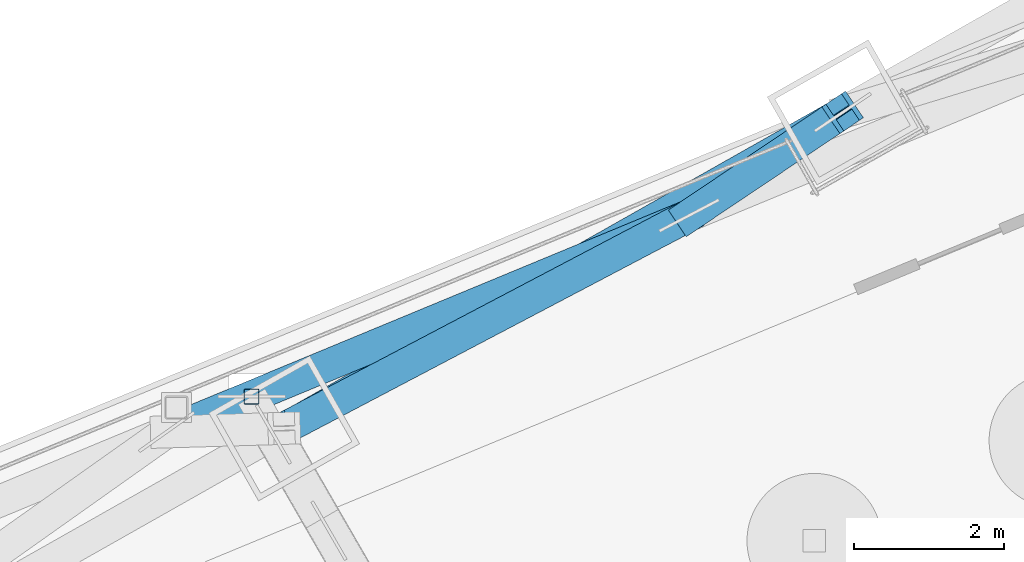
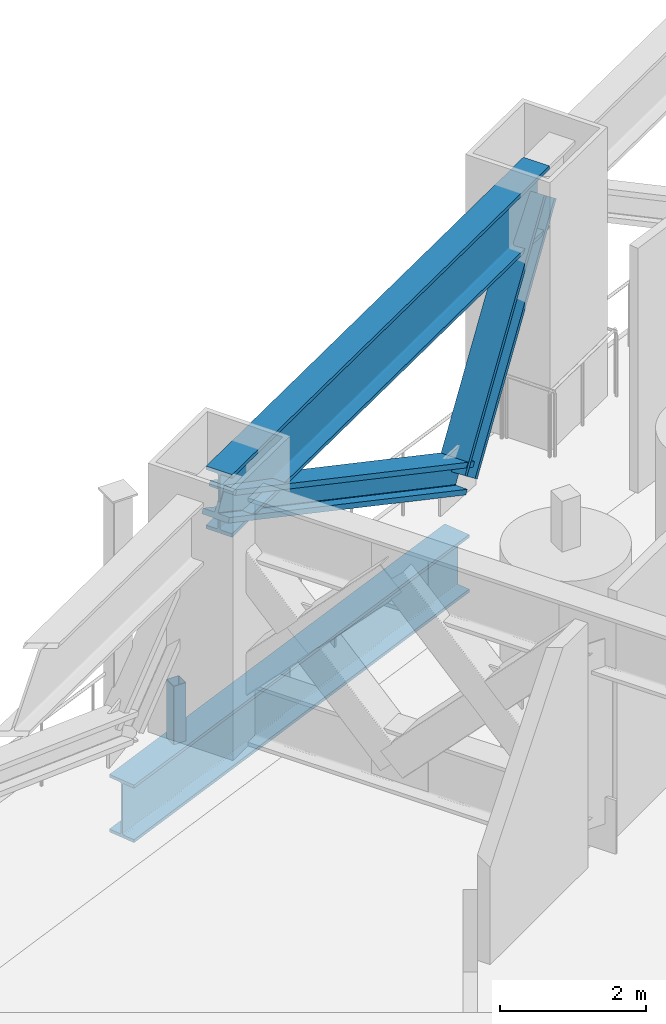
# One storey, part 5 of 23: 5 members.
"""IFC4 building model written with IfcOpenShell, lengths in metres."""

from ifc_helpers import new_model, si_unit, direction, frame, origin, origin_2d, place, context, subcontext, project, spatial, hollow_rectangle, i_section, extrude, material, material_profile, profile_set, type_object, element, save


model = new_model("IFC4")

# Units and contexts
model_context = context("Model", 3, precision=1e-05, world=origin(), true_north=direction((0.0, 1.0)))
body_context = subcontext(model_context, "Body", "Model", "MODEL_VIEW")
ifc_project = project(units=[si_unit("LENGTHUNIT", "METRE"), si_unit("AREAUNIT", "SQUARE_METRE"), si_unit("VOLUMEUNIT", "CUBIC_METRE"), si_unit("PLANEANGLEUNIT", "RADIAN"), si_unit("MASSUNIT", "GRAM", prefix="KILO")], contexts=[model_context])

# Site, building, storey
site_placement = place(None, origin())
site = spatial("IfcSite", under=ifc_project, at=site_placement, CompositionType="ELEMENT")
building_placement = place(site_placement, origin())
building = spatial("IfcBuilding", under=site, at=building_placement, Name="Trine Commons Tower", CompositionType="ELEMENT")
storey_placement = place(building_placement, frame((0.0, 0.0, 156.60009765625)))
storey = spatial("IfcBuildingStorey", under=building, at=storey_placement, Name="L40", CompositionType="ELEMENT", Elevation=156.60009765625)

# Members
ifc_material_1 = material(Name="Structural steel ASTM A992 Gr50", Category="steel")
ifc_material_profile_1 = material_profile(ifc_material_1, i_section(OverallWidth=0.4287109375, OverallDepth=0.482666015625, WebThickness=0.05126953125, FlangeThickness=0.08154296875, FilletRadius=0.015380859375, at=origin_2d()), Name="W14X455")
ifc_profile_set_1 = profile_set([ifc_material_profile_1], Name="Structural steel ASTM A992 Gr50")
member_type_1 = type_object("IfcMemberType", Name="Steel brace W14X455, ASTM A992 Gr50", PredefinedType="BRACE", material=ifc_profile_set_1)
member_1_placement = place(storey_placement, frame((76.08251953125, 81.8251953125, 0.482421875), z_axis=(-0.787067661332, -0.413752408512, 0.457529715905), x_axis=(0.46531156788, -0.885146962259, 0.0)))
element("IfcMember", 1, at=member_1_placement, inside=storey, type_object=member_type_1, Name="Belt truss brace T4-DG-22", PredefinedType="BRACE", context=body_context, shape_type="SweptSolid", body=[
    extrude(i_section(OverallWidth=0.4287109375, OverallDepth=0.482666015625, WebThickness=0.05126953125, FlangeThickness=0.08154296875, FilletRadius=0.015380859375, at=origin_2d()), origin(), (0.0, 0.0, 1.0), 6.87060546875),
])
member_2_placement = place(storey_placement, frame((76.08251953125, 81.8251953125, 0.482421875), z_axis=(0.51310521833, 0.344532692413, 0.786142645314), x_axis=(-0.557455587633, 0.830206762088, 0.0)))
element("IfcMember", 2, at=member_2_placement, inside=storey, type_object=member_type_1, Name="Belt truss brace T4-DG-23", PredefinedType="BRACE", context=body_context, shape_type="SweptSolid", body=[
    extrude(i_section(OverallWidth=0.4287109375, OverallDepth=0.482666015625, WebThickness=0.05126953125, FlangeThickness=0.08154296875, FilletRadius=0.015380859375, at=origin_2d()), origin(), (0.0, 0.0, 1.0), 3.998779296875),
])
ifc_material_profile_2 = material_profile(ifc_material_1, i_section(OverallWidth=0.42529296875, OverallDepth=0.965087890625, WebThickness=0.0283203125, FlangeThickness=0.051025390625, FilletRadius=0.024169921875, at=origin_2d()), Name="W36X361")
ifc_profile_set_2 = profile_set([ifc_material_profile_2], Name="Structural steel ASTM A992 Gr50")
member_type_2 = type_object("IfcMemberType", Name="Steel chord W36X361, ASTM A992 Gr50", PredefinedType="CHORD", material=ifc_profile_set_2)
member_3_placement = place(storey_placement, frame((69.105224609375, 78.93505859375, -0.9326171875), z_axis=(0.923877354048, 0.382688691599, 0.0), x_axis=(-0.382688691599, 0.923877354048, 0.0)))
element("IfcMember", 3, at=member_3_placement, inside=storey, type_object=member_type_2, Name="Belt truss chord T4-LC-11", PredefinedType="CHORD", context=body_context, shape_type="SweptSolid", body=[
    extrude(i_section(OverallWidth=0.42529296875, OverallDepth=0.965087890625, WebThickness=0.0283203125, FlangeThickness=0.051025390625, FilletRadius=0.024169921875, at=origin_2d()), origin(), (0.0, 0.0, 1.0), 7.55224609375),
])
ifc_material_profile_3 = material_profile(ifc_material_1, i_section(OverallWidth=0.412841796875, OverallDepth=1.0478515625, WebThickness=0.033935546875, FlangeThickness=0.059814453125, FilletRadius=0.030029296875, at=origin_2d()), Name="W40X431")
ifc_profile_set_3 = profile_set([ifc_material_profile_3], Name="Structural steel ASTM A992 Gr50")
member_type_3 = type_object("IfcMemberType", Name="Steel chord W40X431, ASTM A992 Gr50", PredefinedType="CHORD", material=ifc_profile_set_3)
member_4_placement = place(storey_placement, frame((70.6748046875, 78.982421875, 3.6259765625), z_axis=(0.870351074557, 0.49243172828, 0.0), x_axis=(-0.49243172828, 0.870351074557, 0.0)))
element("IfcMember", 4, at=member_4_placement, inside=storey, type_object=member_type_3, Name="Belt truss chord T4-UC-10", PredefinedType="CHORD", context=body_context, shape_type="SweptSolid", body=[
    extrude(i_section(OverallWidth=0.412841796875, OverallDepth=1.0478515625, WebThickness=0.033935546875, FlangeThickness=0.059814453125, FilletRadius=0.030029296875, at=origin_2d()), origin(), (0.0, 0.0, 1.0), 8.570556640625),
])
ifc_material_2 = material(Name="Structural steel ASTM A500 Gr C", Category="steel")
ifc_material_profile_4 = material_profile(ifc_material_2, hollow_rectangle(XDim=0.203125, YDim=0.203125, WallThickness=0.0087890625, InnerFilletRadius=0.00439453125, OuterFilletRadius=0.013427734375, at=origin_2d()), Name="HSS8X8X3/8")
ifc_profile_set_4 = profile_set([ifc_material_profile_4], Name="Structural steel ASTM A500 Gr C")
member_type_4 = type_object("IfcMemberType", Name="Steel post HSS8X8X3/8, ASTM A500 Gr C", PredefinedType="POST", material=ifc_profile_set_4)
member_5_placement = place(storey_placement, frame((70.239990234375, 79.405029296875, -0.4501953125), z_axis=(0.0, 0.0, 1.0), x_axis=(1.0, 0.0, 0.0)))
element("IfcMember", 5, at=member_5_placement, inside=storey, type_object=member_type_4, Name="Outrigger truss post T4-OS-01", PredefinedType="POST", context=body_context, shape_type="SweptSolid", body=[
    extrude(hollow_rectangle(XDim=0.203125, YDim=0.203125, WallThickness=0.0087890625, InnerFilletRadius=0.00439453125, OuterFilletRadius=0.013427734375, at=origin_2d()), origin(), (0.0, 0.0, 1.0), 0.973876953125),
])

save(model, "model.ifc")
